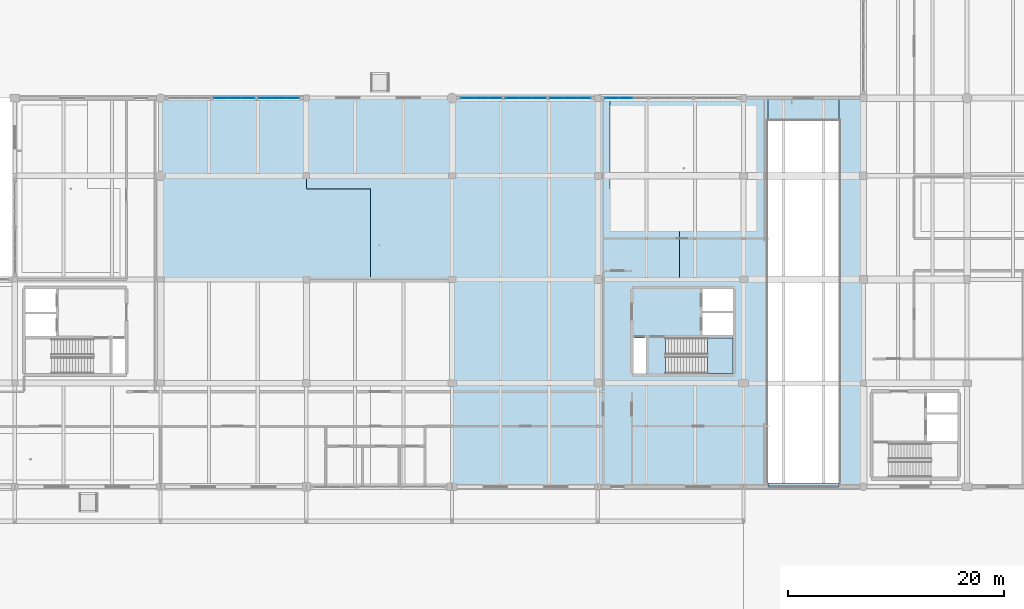
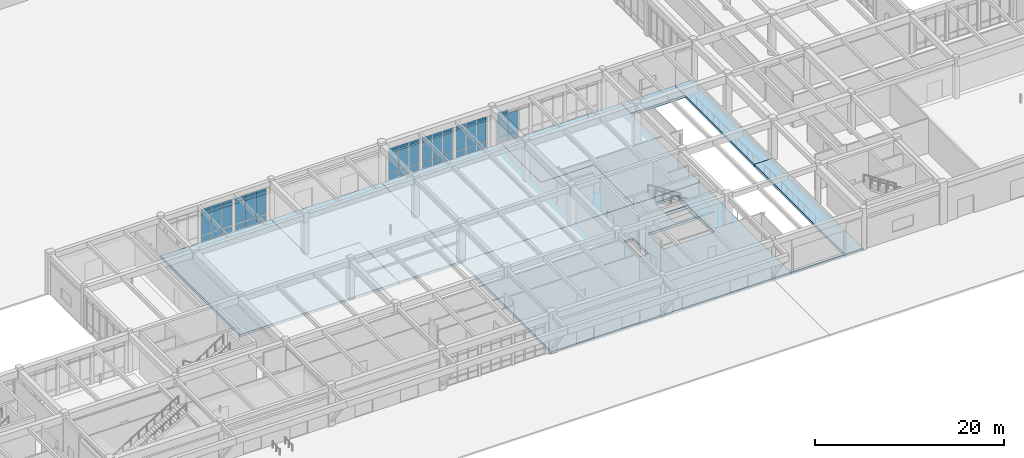
# One storey, part 91 of 138: 50 plates, 10 slabs, 7 elements without a shape of their own.
"""IFC4 building model written with IfcOpenShell, lengths in metres."""

from ifc_helpers import new_model, si_unit, direction, frame, origin, origin_2d, place, context, subcontext, project, spatial, polyline, rectangle, outline, extrude, material, layer, layer_set, type_object, element, aggregate, save


model = new_model("IFC4")

# Units and contexts
model_context = context("Model", 3, precision=1e-05, world=origin(), true_north=direction((0.0, 1.0)))
body_context = subcontext(model_context, "Body", "Model", "MODEL_VIEW")
ifc_project = project(units=[si_unit("LENGTHUNIT", "METRE"), si_unit("AREAUNIT", "SQUARE_METRE"), si_unit("VOLUMEUNIT", "CUBIC_METRE"), si_unit("PLANEANGLEUNIT", "RADIAN"), si_unit("MASSUNIT", "GRAM", prefix="KILO")], contexts=[model_context])

# Site, building, storey
site_placement = place(None, origin())
site = spatial("IfcSite", under=ifc_project, at=site_placement, CompositionType="ELEMENT")
building_placement = place(site_placement, origin())
building = spatial("IfcBuilding", under=site, at=building_placement, Name="Fikremerkos Civic Library", CompositionType="ELEMENT")
storey_placement = place(building_placement, origin())
storey = spatial("IfcBuildingStorey", under=building, at=storey_placement, Name="L00", CompositionType="ELEMENT", Elevation=0.0)

# Curtain wall, plates
ifc_material_1 = material(Name="Anodized aluminium Frame", Category="aluminium")
ifc_layer_1 = layer(ifc_material_1, 0.159912109375, Name="Anodized aluminium Frame")
ifc_layer_set_1 = layer_set([ifc_layer_1], Name="Anodized aluminium Frame")
curtain_wall_type_1 = type_object("IfcCurtainWallType", Name="Unitised curtain wall CW-17 4600x3600", PredefinedType="USERDEFINED", material=ifc_layer_set_1)
curtain_wall_1_placement = place(storey_placement, origin())
curtain_wall_1 = element("IfcCurtainWall", 1, at=curtain_wall_1_placement, inside=storey, type_object=curtain_wall_type_1, Name="Unitised curtain wall CW-17 L00 #17", ObjectType="UNITISED CURTAIN WALL", PredefinedType="USERDEFINED")
ifc_material_2 = material(Name="Solar control double glazing", Category="glass")
ifc_layer_2 = layer(ifc_material_2, 0.028076171875, Name="Solar control double glazing")
ifc_layer_set_2 = layer_set([ifc_layer_2], Name="Solar control double glazing")
plate_type_1 = type_object("IfcPlateType", Name="Curtain glazing panel CWP-01 28", PredefinedType="CURTAIN_PANEL", material=ifc_layer_set_2)
plate_1_placement = place(storey_placement, frame((88.150634765625, 48.0, 0.06982421875), z_axis=(0.0, 0.0, 1.0), x_axis=(1.0, 0.0, 0.0)))
plate_1 = element("IfcPlate", 2, at=plate_1_placement, type_object=plate_type_1, Name="CW-17 panel 1.1", PredefinedType="CURTAIN_PANEL", context=body_context, shape_type="SweptSolid", body=[
    extrude(rectangle(XDim=1.175048828125, YDim=0.028076171875, at=origin_2d()), origin(), (0.0, 0.0, 1.0), 0.7451171875),
])
plate_2_placement = place(storey_placement, frame((88.150634765625, 48.0, 0.88525390625), z_axis=(0.0, 0.0, 1.0), x_axis=(1.0, 0.0, 0.0)))
plate_2 = element("IfcPlate", 3, at=plate_2_placement, type_object=plate_type_1, Name="CW-17 panel 1.2", PredefinedType="CURTAIN_PANEL", context=body_context, shape_type="SweptSolid", body=[
    extrude(rectangle(XDim=1.175048828125, YDim=0.028076171875, at=origin_2d()), origin(), (0.0, 0.0, 1.0), 2.679931640625),
])
plate_3_placement = place(storey_placement, frame((88.150634765625, 48.0, 3.634765625), z_axis=(0.0, 0.0, 1.0), x_axis=(1.0, 0.0, 0.0)))
plate_3 = element("IfcPlate", 4, at=plate_3_placement, type_object=plate_type_1, Name="CW-17 panel 1.3", PredefinedType="CURTAIN_PANEL", context=body_context, shape_type="SweptSolid", body=[
    extrude(rectangle(XDim=1.175048828125, YDim=0.028076171875, at=origin_2d()), origin(), (0.0, 0.0, 1.0), 0.445068359375),
])
plate_4_placement = place(storey_placement, frame((89.406982421875, 48.0, 0.06982421875), z_axis=(0.0, 0.0, 1.0), x_axis=(1.0, 0.0, 0.0)))
plate_4 = element("IfcPlate", 5, at=plate_4_placement, type_object=plate_type_1, Name="CW-17 panel 2.1", PredefinedType="CURTAIN_PANEL", context=body_context, shape_type="SweptSolid", body=[
    extrude(rectangle(XDim=1.207763671875, YDim=0.028076171875, at=origin_2d()), origin(), (0.0, 0.0, 1.0), 0.7451171875),
])
plate_5_placement = place(storey_placement, frame((89.406982421875, 48.0, 0.88525390625), z_axis=(0.0, 0.0, 1.0), x_axis=(1.0, 0.0, 0.0)))
plate_5 = element("IfcPlate", 6, at=plate_5_placement, type_object=plate_type_1, Name="CW-17 panel 2.2", PredefinedType="CURTAIN_PANEL", context=body_context, shape_type="SweptSolid", body=[
    extrude(rectangle(XDim=1.207763671875, YDim=0.028076171875, at=origin_2d()), origin(), (0.0, 0.0, 1.0), 2.679931640625),
])
plate_6_placement = place(storey_placement, frame((89.406982421875, 48.0, 3.634765625), z_axis=(0.0, 0.0, 1.0), x_axis=(1.0, 0.0, 0.0)))
plate_6 = element("IfcPlate", 7, at=plate_6_placement, type_object=plate_type_1, Name="CW-17 panel 2.3", PredefinedType="CURTAIN_PANEL", context=body_context, shape_type="SweptSolid", body=[
    extrude(rectangle(XDim=1.207763671875, YDim=0.028076171875, at=origin_2d()), origin(), (0.0, 0.0, 1.0), 0.445068359375),
])
plate_7_placement = place(storey_placement, frame((90.663330078125, 48.0, 0.06982421875), z_axis=(0.0, 0.0, 1.0), x_axis=(1.0, 0.0, 0.0)))
plate_7 = element("IfcPlate", 8, at=plate_7_placement, type_object=plate_type_1, Name="CW-17 panel 3.1", PredefinedType="CURTAIN_PANEL", context=body_context, shape_type="SweptSolid", body=[
    extrude(rectangle(XDim=1.175048828125, YDim=0.028076171875, at=origin_2d()), origin(), (0.0, 0.0, 1.0), 0.7451171875),
])
plate_8_placement = place(storey_placement, frame((90.663330078125, 48.0, 0.88525390625), z_axis=(0.0, 0.0, 1.0), x_axis=(1.0, 0.0, 0.0)))
plate_8 = element("IfcPlate", 9, at=plate_8_placement, type_object=plate_type_1, Name="CW-17 panel 3.2", PredefinedType="CURTAIN_PANEL", context=body_context, shape_type="SweptSolid", body=[
    extrude(rectangle(XDim=1.175048828125, YDim=0.028076171875, at=origin_2d()), origin(), (0.0, 0.0, 1.0), 2.679931640625),
])
plate_9_placement = place(storey_placement, frame((90.663330078125, 48.0, 3.634765625), z_axis=(0.0, 0.0, 1.0), x_axis=(1.0, 0.0, 0.0)))
plate_9 = element("IfcPlate", 10, at=plate_9_placement, type_object=plate_type_1, Name="CW-17 panel 3.3", PredefinedType="CURTAIN_PANEL", context=body_context, shape_type="SweptSolid", body=[
    extrude(rectangle(XDim=1.175048828125, YDim=0.028076171875, at=origin_2d()), origin(), (0.0, 0.0, 1.0), 0.445068359375),
])
aggregate(curtain_wall_1, [plate_1, plate_2, plate_3, plate_4, plate_5, plate_6, plate_7, plate_8, plate_9])

ifc_layer_3 = layer(ifc_material_1, 0.159912109375, Name="Anodized aluminium Frame")
ifc_layer_set_3 = layer_set([ifc_layer_3], Name="Anodized aluminium Frame")
curtain_wall_type_2 = type_object("IfcCurtainWallType", Name="Unitised curtain wall CW-01 3600x3600", PredefinedType="USERDEFINED", material=ifc_layer_set_3)
curtain_wall_2_placement = place(storey_placement, origin())
curtain_wall_2 = element("IfcCurtainWall", 11, at=curtain_wall_2_placement, inside=storey, type_object=curtain_wall_type_2, Name="Unitised curtain wall CW-01 L00 #19", ObjectType="UNITISED CURTAIN WALL", PredefinedType="USERDEFINED")
plate_10_placement = place(storey_placement, frame((96.386474609375, 48.0, 0.06982421875), z_axis=(0.0, 0.0, 1.0), x_axis=(1.0, 0.0, 0.0)))
plate_10 = element("IfcPlate", 12, at=plate_10_placement, type_object=plate_type_1, Name="CW-01 panel 1.1", PredefinedType="CURTAIN_PANEL", context=body_context, shape_type="SweptSolid", body=[
    extrude(rectangle(XDim=1.175048828125, YDim=0.028076171875, at=origin_2d()), origin(), (0.0, 0.0, 1.0), 0.7451171875),
])
plate_11_placement = place(storey_placement, frame((96.386474609375, 48.0, 0.88525390625), z_axis=(0.0, 0.0, 1.0), x_axis=(1.0, 0.0, 0.0)))
plate_11 = element("IfcPlate", 13, at=plate_11_placement, type_object=plate_type_1, Name="CW-01 panel 1.2", PredefinedType="CURTAIN_PANEL", context=body_context, shape_type="SweptSolid", body=[
    extrude(rectangle(XDim=1.175048828125, YDim=0.028076171875, at=origin_2d()), origin(), (0.0, 0.0, 1.0), 2.679931640625),
])
plate_12_placement = place(storey_placement, frame((96.386474609375, 48.0, 3.634765625), z_axis=(0.0, 0.0, 1.0), x_axis=(1.0, 0.0, 0.0)))
plate_12 = element("IfcPlate", 14, at=plate_12_placement, type_object=plate_type_1, Name="CW-01 panel 1.3", PredefinedType="CURTAIN_PANEL", context=body_context, shape_type="SweptSolid", body=[
    extrude(rectangle(XDim=1.175048828125, YDim=0.028076171875, at=origin_2d()), origin(), (0.0, 0.0, 1.0), 0.445068359375),
])
plate_13_placement = place(storey_placement, frame((97.64306640625, 48.0, 0.06982421875), z_axis=(0.0, 0.0, 1.0), x_axis=(1.0, 0.0, 0.0)))
plate_13 = element("IfcPlate", 15, at=plate_13_placement, type_object=plate_type_1, Name="CW-01 panel 2.1", PredefinedType="CURTAIN_PANEL", context=body_context, shape_type="SweptSolid", body=[
    extrude(rectangle(XDim=1.207763671875, YDim=0.028076171875, at=origin_2d()), origin(), (0.0, 0.0, 1.0), 0.7451171875),
])
plate_14_placement = place(storey_placement, frame((97.64306640625, 48.0, 0.88525390625), z_axis=(0.0, 0.0, 1.0), x_axis=(1.0, 0.0, 0.0)))
plate_14 = element("IfcPlate", 16, at=plate_14_placement, type_object=plate_type_1, Name="CW-01 panel 2.2", PredefinedType="CURTAIN_PANEL", context=body_context, shape_type="SweptSolid", body=[
    extrude(rectangle(XDim=1.207763671875, YDim=0.028076171875, at=origin_2d()), origin(), (0.0, 0.0, 1.0), 2.679931640625),
])
plate_15_placement = place(storey_placement, frame((97.64306640625, 48.0, 3.634765625), z_axis=(0.0, 0.0, 1.0), x_axis=(1.0, 0.0, 0.0)))
plate_15 = element("IfcPlate", 17, at=plate_15_placement, type_object=plate_type_1, Name="CW-01 panel 2.3", PredefinedType="CURTAIN_PANEL", context=body_context, shape_type="SweptSolid", body=[
    extrude(rectangle(XDim=1.207763671875, YDim=0.028076171875, at=origin_2d()), origin(), (0.0, 0.0, 1.0), 0.445068359375),
])
plate_16_placement = place(storey_placement, frame((98.8994140625, 48.0, 0.06982421875), z_axis=(0.0, 0.0, 1.0), x_axis=(1.0, 0.0, 0.0)))
plate_16 = element("IfcPlate", 18, at=plate_16_placement, type_object=plate_type_1, Name="CW-01 panel 3.1", PredefinedType="CURTAIN_PANEL", context=body_context, shape_type="SweptSolid", body=[
    extrude(rectangle(XDim=1.175048828125, YDim=0.028076171875, at=origin_2d()), origin(), (0.0, 0.0, 1.0), 0.7451171875),
])
plate_17_placement = place(storey_placement, frame((98.8994140625, 48.0, 0.88525390625), z_axis=(0.0, 0.0, 1.0), x_axis=(1.0, 0.0, 0.0)))
plate_17 = element("IfcPlate", 19, at=plate_17_placement, type_object=plate_type_1, Name="CW-01 panel 3.2", PredefinedType="CURTAIN_PANEL", context=body_context, shape_type="SweptSolid", body=[
    extrude(rectangle(XDim=1.175048828125, YDim=0.028076171875, at=origin_2d()), origin(), (0.0, 0.0, 1.0), 2.679931640625),
])
plate_18_placement = place(storey_placement, frame((98.8994140625, 48.0, 3.634765625), z_axis=(0.0, 0.0, 1.0), x_axis=(1.0, 0.0, 0.0)))
plate_18 = element("IfcPlate", 20, at=plate_18_placement, type_object=plate_type_1, Name="CW-01 panel 3.3", PredefinedType="CURTAIN_PANEL", context=body_context, shape_type="SweptSolid", body=[
    extrude(rectangle(XDim=1.175048828125, YDim=0.028076171875, at=origin_2d()), origin(), (0.0, 0.0, 1.0), 0.445068359375),
])
aggregate(curtain_wall_2, [plate_10, plate_11, plate_12, plate_13, plate_14, plate_15, plate_16, plate_17, plate_18])

ifc_layer_4 = layer(ifc_material_1, 0.159912109375, Name="Anodized aluminium Frame")
ifc_layer_set_4 = layer_set([ifc_layer_4], Name="Anodized aluminium Frame")
curtain_wall_type_3 = type_object("IfcCurtainWallType", Name="Unitised curtain wall CW-18 2700x3400", PredefinedType="USERDEFINED", material=ifc_layer_set_4)
curtain_wall_3_placement = place(storey_placement, origin())
curtain_wall_3 = element("IfcCurtainWall", 21, at=curtain_wall_3_placement, inside=storey, type_object=curtain_wall_type_3, Name="Unitised curtain wall CW-18 L00 #18", ObjectType="UNITISED CURTAIN WALL", PredefinedType="USERDEFINED")
ifc_layer_5 = layer(ifc_material_2, 0.035888671875, Name="Solar control double glazing")
ifc_layer_set_5 = layer_set([ifc_layer_5], Name="Solar control double glazing")
plate_type_2 = type_object("IfcPlateType", Name="Curtain glazing panel CWP-02 36", PredefinedType="CURTAIN_PANEL", material=ifc_layer_set_5)
plate_19_placement = place(storey_placement, frame((92.267333984375, 48.0, 0.06982421875), z_axis=(0.0, 0.0, 1.0), x_axis=(1.0, 0.0, 0.0)))
plate_19 = element("IfcPlate", 22, at=plate_19_placement, type_object=plate_type_2, Name="CW-18 panel 1.1", PredefinedType="CURTAIN_PANEL", context=body_context, shape_type="SweptSolid", body=[
    extrude(rectangle(XDim=1.1826171875, YDim=0.035888671875, at=origin_2d()), origin(), (0.0, 0.0, 1.0), 0.7451171875),
])
plate_20_placement = place(storey_placement, frame((92.267333984375, 48.0, 0.88525390625), z_axis=(0.0, 0.0, 1.0), x_axis=(1.0, 0.0, 0.0)))
plate_20 = element("IfcPlate", 23, at=plate_20_placement, type_object=plate_type_2, Name="CW-18 panel 1.2", PredefinedType="CURTAIN_PANEL", context=body_context, shape_type="SweptSolid", body=[
    extrude(rectangle(XDim=1.1826171875, YDim=0.035888671875, at=origin_2d()), origin(), (0.0, 0.0, 1.0), 2.679931640625),
])
plate_21_placement = place(storey_placement, frame((92.267333984375, 48.0, 3.634765625), z_axis=(0.0, 0.0, 1.0), x_axis=(1.0, 0.0, 0.0)))
plate_21 = element("IfcPlate", 24, at=plate_21_placement, type_object=plate_type_2, Name="CW-18 panel 1.3", PredefinedType="CURTAIN_PANEL", context=body_context, shape_type="SweptSolid", body=[
    extrude(rectangle(XDim=1.1826171875, YDim=0.035888671875, at=origin_2d()), origin(), (0.0, 0.0, 1.0), 0.445068359375),
])
plate_22_placement = place(storey_placement, frame((93.52490234375, 48.0, 0.06982421875), z_axis=(0.0, 0.0, 1.0), x_axis=(1.0, 0.0, 0.0)))
plate_22 = element("IfcPlate", 25, at=plate_22_placement, type_object=plate_type_2, Name="CW-18 panel 2.1", PredefinedType="CURTAIN_PANEL", context=body_context, shape_type="SweptSolid", body=[
    extrude(rectangle(XDim=1.212646484375, YDim=0.035888671875, at=origin_2d()), origin(), (0.0, 0.0, 1.0), 0.7451171875),
])
plate_23_placement = place(storey_placement, frame((93.52490234375, 48.0, 0.88525390625), z_axis=(0.0, 0.0, 1.0), x_axis=(1.0, 0.0, 0.0)))
plate_23 = element("IfcPlate", 26, at=plate_23_placement, type_object=plate_type_2, Name="CW-18 panel 2.2", PredefinedType="CURTAIN_PANEL", context=body_context, shape_type="SweptSolid", body=[
    extrude(rectangle(XDim=1.212646484375, YDim=0.035888671875, at=origin_2d()), origin(), (0.0, 0.0, 1.0), 2.679931640625),
])
plate_24_placement = place(storey_placement, frame((93.52490234375, 48.0, 3.634765625), z_axis=(0.0, 0.0, 1.0), x_axis=(1.0, 0.0, 0.0)))
plate_24 = element("IfcPlate", 27, at=plate_24_placement, type_object=plate_type_2, Name="CW-18 panel 2.3", PredefinedType="CURTAIN_PANEL", context=body_context, shape_type="SweptSolid", body=[
    extrude(rectangle(XDim=1.212646484375, YDim=0.035888671875, at=origin_2d()), origin(), (0.0, 0.0, 1.0), 0.445068359375),
])
plate_25_placement = place(storey_placement, frame((94.78271484375, 48.0, 0.06982421875), z_axis=(0.0, 0.0, 1.0), x_axis=(1.0, 0.0, 0.0)))
plate_25 = element("IfcPlate", 28, at=plate_25_placement, type_object=plate_type_2, Name="CW-18 panel 3.1", PredefinedType="CURTAIN_PANEL", context=body_context, shape_type="SweptSolid", body=[
    extrude(rectangle(XDim=1.1826171875, YDim=0.035888671875, at=origin_2d()), origin(), (0.0, 0.0, 1.0), 0.7451171875),
])
plate_26_placement = place(storey_placement, frame((94.78271484375, 48.0, 0.88525390625), z_axis=(0.0, 0.0, 1.0), x_axis=(1.0, 0.0, 0.0)))
plate_26 = element("IfcPlate", 29, at=plate_26_placement, type_object=plate_type_2, Name="CW-18 panel 3.2", PredefinedType="CURTAIN_PANEL", context=body_context, shape_type="SweptSolid", body=[
    extrude(rectangle(XDim=1.1826171875, YDim=0.035888671875, at=origin_2d()), origin(), (0.0, 0.0, 1.0), 2.679931640625),
])
plate_27_placement = place(storey_placement, frame((94.78271484375, 48.0, 3.634765625), z_axis=(0.0, 0.0, 1.0), x_axis=(1.0, 0.0, 0.0)))
plate_27 = element("IfcPlate", 30, at=plate_27_placement, type_object=plate_type_2, Name="CW-18 panel 3.3", PredefinedType="CURTAIN_PANEL", context=body_context, shape_type="SweptSolid", body=[
    extrude(rectangle(XDim=1.1826171875, YDim=0.035888671875, at=origin_2d()), origin(), (0.0, 0.0, 1.0), 0.445068359375),
])
aggregate(curtain_wall_3, [plate_19, plate_20, plate_21, plate_22, plate_23, plate_24, plate_25, plate_26, plate_27])

ifc_layer_6 = layer(ifc_material_1, 0.159912109375, Name="Anodized aluminium Frame")
ifc_layer_set_6 = layer_set([ifc_layer_6], Name="Anodized aluminium Frame")
curtain_wall_type_4 = type_object("IfcCurtainWallType", Name="Unitised curtain wall CW-02 3900x3600", PredefinedType="USERDEFINED", material=ifc_layer_set_6)
curtain_wall_4_placement = place(storey_placement, origin())
curtain_wall_4 = element("IfcCurtainWall", 31, at=curtain_wall_4_placement, inside=storey, type_object=curtain_wall_type_4, Name="Unitised curtain wall CW-02 L00 #20", ObjectType="UNITISED CURTAIN WALL", PredefinedType="USERDEFINED")
plate_28_placement = place(storey_placement, frame((101.510498046875, 48.0, 0.06982421875), z_axis=(0.0, 0.0, 1.0), x_axis=(1.0, 0.0, 0.0)))
plate_28 = element("IfcPlate", 32, at=plate_28_placement, type_object=plate_type_2, Name="CW-02 panel 1.1", PredefinedType="CURTAIN_PANEL", context=body_context, shape_type="SweptSolid", body=[
    extrude(rectangle(XDim=1.204833984375, YDim=0.035888671875, at=origin_2d()), origin(), (0.0, 0.0, 1.0), 0.7451171875),
])
plate_29_placement = place(storey_placement, frame((101.510498046875, 48.0, 0.88525390625), z_axis=(0.0, 0.0, 1.0), x_axis=(1.0, 0.0, 0.0)))
plate_29 = element("IfcPlate", 33, at=plate_29_placement, type_object=plate_type_2, Name="CW-02 panel 1.2", PredefinedType="CURTAIN_PANEL", context=body_context, shape_type="SweptSolid", body=[
    extrude(rectangle(XDim=1.204833984375, YDim=0.035888671875, at=origin_2d()), origin(), (0.0, 0.0, 1.0), 2.679931640625),
])
plate_30_placement = place(storey_placement, frame((101.510498046875, 48.0, 3.634765625), z_axis=(0.0, 0.0, 1.0), x_axis=(1.0, 0.0, 0.0)))
plate_30 = element("IfcPlate", 34, at=plate_30_placement, type_object=plate_type_2, Name="CW-02 panel 1.3", PredefinedType="CURTAIN_PANEL", context=body_context, shape_type="SweptSolid", body=[
    extrude(rectangle(XDim=1.204833984375, YDim=0.035888671875, at=origin_2d()), origin(), (0.0, 0.0, 1.0), 0.445068359375),
])
plate_31_placement = place(storey_placement, frame((102.790283203125, 48.0, 0.06982421875), z_axis=(0.0, 0.0, 1.0), x_axis=(1.0, 0.0, 0.0)))
plate_31 = element("IfcPlate", 35, at=plate_31_placement, type_object=plate_type_2, Name="CW-02 panel 2.1", PredefinedType="CURTAIN_PANEL", context=body_context, shape_type="SweptSolid", body=[
    extrude(rectangle(XDim=1.23486328125, YDim=0.035888671875, at=origin_2d()), origin(), (0.0, 0.0, 1.0), 0.7451171875),
])
plate_32_placement = place(storey_placement, frame((102.790283203125, 48.0, 0.88525390625), z_axis=(0.0, 0.0, 1.0), x_axis=(1.0, 0.0, 0.0)))
plate_32 = element("IfcPlate", 36, at=plate_32_placement, type_object=plate_type_2, Name="CW-02 panel 2.2", PredefinedType="CURTAIN_PANEL", context=body_context, shape_type="SweptSolid", body=[
    extrude(rectangle(XDim=1.23486328125, YDim=0.035888671875, at=origin_2d()), origin(), (0.0, 0.0, 1.0), 2.679931640625),
])
aggregate(curtain_wall_4, [plate_28, plate_29, plate_30, plate_31, plate_32])

ifc_layer_7 = layer(ifc_material_1, 0.159912109375, Name="Anodized aluminium Frame")
ifc_layer_set_7 = layer_set([ifc_layer_7], Name="Anodized aluminium Frame")
curtain_wall_type_5 = type_object("IfcCurtainWallType", Name="Unitised curtain wall CW-15 2900x3600", PredefinedType="USERDEFINED", material=ifc_layer_set_7)
curtain_wall_5_placement = place(storey_placement, origin())
curtain_wall_5 = element("IfcCurtainWall", 37, at=curtain_wall_5_placement, inside=storey, type_object=curtain_wall_type_5, Name="Unitised curtain wall CW-15 L00 #15", ObjectType="UNITISED CURTAIN WALL", PredefinedType="USERDEFINED")
ifc_material_3 = material(Name="Insulated aluminium spandrel", Category="aluminium")
ifc_layer_8 = layer(ifc_material_3, 0.044921875, Name="Insulated aluminium spandrel")
ifc_layer_set_8 = layer_set([ifc_layer_8], Name="Insulated aluminium spandrel")
plate_type_3 = type_object("IfcPlateType", Name="Curtain spandrel panel CSP-01 45", PredefinedType="CURTAIN_PANEL", material=ifc_layer_set_8)
plate_33_placement = place(storey_placement, frame((65.24658203125, 48.0, 0.06982421875), z_axis=(0.0, 0.0, 1.0), x_axis=(1.0, 0.0, 0.0)))
plate_33 = element("IfcPlate", 38, at=plate_33_placement, type_object=plate_type_3, Name="CW-15 panel 1.1", PredefinedType="CURTAIN_PANEL", context=body_context, shape_type="SweptSolid", body=[
    extrude(rectangle(XDim=1.19091796875, YDim=0.044921875, at=origin_2d()), origin(), (0.0, 0.0, 1.0), 0.7451171875),
])
plate_34_placement = place(storey_placement, frame((65.24658203125, 48.0, 0.884765625), z_axis=(0.0, 0.0, 1.0), x_axis=(1.0, 0.0, 0.0)))
plate_34 = element("IfcPlate", 39, at=plate_34_placement, type_object=plate_type_3, Name="CW-15 panel 1.2", PredefinedType="CURTAIN_PANEL", context=body_context, shape_type="SweptSolid", body=[
    extrude(rectangle(XDim=1.19091796875, YDim=0.044921875, at=origin_2d()), origin(), (0.0, 0.0, 1.0), 2.820068359375),
])
plate_35_placement = place(storey_placement, frame((65.24658203125, 48.0, 3.77490234375), z_axis=(0.0, 0.0, 1.0), x_axis=(1.0, 0.0, 0.0)))
plate_35 = element("IfcPlate", 40, at=plate_35_placement, type_object=plate_type_3, Name="CW-15 panel 1.3", PredefinedType="CURTAIN_PANEL", context=body_context, shape_type="SweptSolid", body=[
    extrude(rectangle(XDim=1.19091796875, YDim=0.044921875, at=origin_2d()), origin(), (0.0, 0.0, 1.0), 0.445068359375),
])
plate_36_placement = place(storey_placement, frame((66.512451171875, 48.0, 0.06982421875), z_axis=(0.0, 0.0, 1.0), x_axis=(1.0, 0.0, 0.0)))
plate_36 = element("IfcPlate", 41, at=plate_36_placement, type_object=plate_type_3, Name="CW-15 panel 2.1", PredefinedType="CURTAIN_PANEL", context=body_context, shape_type="SweptSolid", body=[
    extrude(rectangle(XDim=1.220947265625, YDim=0.044921875, at=origin_2d()), origin(), (0.0, 0.0, 1.0), 0.7451171875),
])
plate_37_placement = place(storey_placement, frame((66.512451171875, 48.0, 0.884765625), z_axis=(0.0, 0.0, 1.0), x_axis=(1.0, 0.0, 0.0)))
plate_37 = element("IfcPlate", 42, at=plate_37_placement, type_object=plate_type_3, Name="CW-15 panel 2.2", PredefinedType="CURTAIN_PANEL", context=body_context, shape_type="SweptSolid", body=[
    extrude(rectangle(XDim=1.220947265625, YDim=0.044921875, at=origin_2d()), origin(), (0.0, 0.0, 1.0), 2.820068359375),
])
plate_38_placement = place(storey_placement, frame((66.512451171875, 48.0, 3.77490234375), z_axis=(0.0, 0.0, 1.0), x_axis=(1.0, 0.0, 0.0)))
plate_38 = element("IfcPlate", 43, at=plate_38_placement, type_object=plate_type_3, Name="CW-15 panel 2.3", PredefinedType="CURTAIN_PANEL", context=body_context, shape_type="SweptSolid", body=[
    extrude(rectangle(XDim=1.220947265625, YDim=0.044921875, at=origin_2d()), origin(), (0.0, 0.0, 1.0), 0.445068359375),
])
plate_39_placement = place(storey_placement, frame((67.778564453125, 48.0, 0.06982421875), z_axis=(0.0, 0.0, 1.0), x_axis=(1.0, 0.0, 0.0)))
plate_39 = element("IfcPlate", 44, at=plate_39_placement, type_object=plate_type_3, Name="CW-15 panel 3.1", PredefinedType="CURTAIN_PANEL", context=body_context, shape_type="SweptSolid", body=[
    extrude(rectangle(XDim=1.19091796875, YDim=0.044921875, at=origin_2d()), origin(), (0.0, 0.0, 1.0), 0.7451171875),
])
plate_40_placement = place(storey_placement, frame((67.778564453125, 48.0, 0.884765625), z_axis=(0.0, 0.0, 1.0), x_axis=(1.0, 0.0, 0.0)))
plate_40 = element("IfcPlate", 45, at=plate_40_placement, type_object=plate_type_3, Name="CW-15 panel 3.2", PredefinedType="CURTAIN_PANEL", context=body_context, shape_type="SweptSolid", body=[
    extrude(rectangle(XDim=1.19091796875, YDim=0.044921875, at=origin_2d()), origin(), (0.0, 0.0, 1.0), 2.820068359375),
])
plate_41_placement = place(storey_placement, frame((67.778564453125, 48.0, 3.77490234375), z_axis=(0.0, 0.0, 1.0), x_axis=(1.0, 0.0, 0.0)))
plate_41 = element("IfcPlate", 46, at=plate_41_placement, type_object=plate_type_3, Name="CW-15 panel 3.3", PredefinedType="CURTAIN_PANEL", context=body_context, shape_type="SweptSolid", body=[
    extrude(rectangle(XDim=1.19091796875, YDim=0.044921875, at=origin_2d()), origin(), (0.0, 0.0, 1.0), 0.445068359375),
])
aggregate(curtain_wall_5, [plate_33, plate_34, plate_35, plate_36, plate_37, plate_38, plate_39, plate_40, plate_41])

ifc_layer_9 = layer(ifc_material_1, 0.159912109375, Name="Anodized aluminium Frame")
ifc_layer_set_9 = layer_set([ifc_layer_9], Name="Anodized aluminium Frame")
curtain_wall_type_6 = type_object("IfcCurtainWallType", Name="Unitised curtain wall CW-16 3100x4100", PredefinedType="USERDEFINED", material=ifc_layer_set_9)
curtain_wall_6_placement = place(storey_placement, origin())
curtain_wall_6 = element("IfcCurtainWall", 47, at=curtain_wall_6_placement, inside=storey, type_object=curtain_wall_type_6, Name="Unitised curtain wall CW-16 L00 #16", ObjectType="UNITISED CURTAIN WALL", PredefinedType="USERDEFINED")
ifc_layer_10 = layer(ifc_material_3, 0.054931640625, Name="Insulated aluminium spandrel")
ifc_layer_set_10 = layer_set([ifc_layer_10], Name="Insulated aluminium spandrel")
plate_type_4 = type_object("IfcPlateType", Name="Curtain spandrel panel CSP-02 55", PredefinedType="CURTAIN_PANEL", material=ifc_layer_set_10)
plate_42_placement = place(storey_placement, frame((69.389404296875, 48.0, 0.06982421875), z_axis=(0.0, 0.0, 1.0), x_axis=(1.0, 0.0, 0.0)))
plate_42 = element("IfcPlate", 48, at=plate_42_placement, type_object=plate_type_4, Name="CW-16 panel 1.1", PredefinedType="CURTAIN_PANEL", context=body_context, shape_type="SweptSolid", body=[
    extrude(rectangle(XDim=1.19091796875, YDim=0.054931640625, at=origin_2d()), origin(), (0.0, 0.0, 1.0), 0.7451171875),
])
plate_43_placement = place(storey_placement, frame((69.389404296875, 48.0, 0.884765625), z_axis=(0.0, 0.0, 1.0), x_axis=(1.0, 0.0, 0.0)))
plate_43 = element("IfcPlate", 49, at=plate_43_placement, type_object=plate_type_4, Name="CW-16 panel 1.2", PredefinedType="CURTAIN_PANEL", context=body_context, shape_type="SweptSolid", body=[
    extrude(rectangle(XDim=1.19091796875, YDim=0.054931640625, at=origin_2d()), origin(), (0.0, 0.0, 1.0), 2.820068359375),
])
plate_44_placement = place(storey_placement, frame((69.389404296875, 48.0, 3.77490234375), z_axis=(0.0, 0.0, 1.0), x_axis=(1.0, 0.0, 0.0)))
plate_44 = element("IfcPlate", 50, at=plate_44_placement, type_object=plate_type_4, Name="CW-16 panel 1.3", PredefinedType="CURTAIN_PANEL", context=body_context, shape_type="SweptSolid", body=[
    extrude(rectangle(XDim=1.19091796875, YDim=0.054931640625, at=origin_2d()), origin(), (0.0, 0.0, 1.0), 0.445068359375),
])
plate_45_placement = place(storey_placement, frame((70.655517578125, 48.0, 0.06982421875), z_axis=(0.0, 0.0, 1.0), x_axis=(1.0, 0.0, 0.0)))
plate_45 = element("IfcPlate", 51, at=plate_45_placement, type_object=plate_type_4, Name="CW-16 panel 2.1", PredefinedType="CURTAIN_PANEL", context=body_context, shape_type="SweptSolid", body=[
    extrude(rectangle(XDim=1.220947265625, YDim=0.054931640625, at=origin_2d()), origin(), (0.0, 0.0, 1.0), 0.7451171875),
])
plate_46_placement = place(storey_placement, frame((70.655517578125, 48.0, 0.884765625), z_axis=(0.0, 0.0, 1.0), x_axis=(1.0, 0.0, 0.0)))
plate_46 = element("IfcPlate", 52, at=plate_46_placement, type_object=plate_type_4, Name="CW-16 panel 2.2", PredefinedType="CURTAIN_PANEL", context=body_context, shape_type="SweptSolid", body=[
    extrude(rectangle(XDim=1.220947265625, YDim=0.054931640625, at=origin_2d()), origin(), (0.0, 0.0, 1.0), 2.820068359375),
])
plate_47_placement = place(storey_placement, frame((70.655517578125, 48.0, 3.77490234375), z_axis=(0.0, 0.0, 1.0), x_axis=(1.0, 0.0, 0.0)))
plate_47 = element("IfcPlate", 53, at=plate_47_placement, type_object=plate_type_4, Name="CW-16 panel 2.3", PredefinedType="CURTAIN_PANEL", context=body_context, shape_type="SweptSolid", body=[
    extrude(rectangle(XDim=1.220947265625, YDim=0.054931640625, at=origin_2d()), origin(), (0.0, 0.0, 1.0), 0.445068359375),
])
plate_48_placement = place(storey_placement, frame((71.92138671875, 48.0, 0.06982421875), z_axis=(0.0, 0.0, 1.0), x_axis=(1.0, 0.0, 0.0)))
plate_48 = element("IfcPlate", 54, at=plate_48_placement, type_object=plate_type_4, Name="CW-16 panel 3.1", PredefinedType="CURTAIN_PANEL", context=body_context, shape_type="SweptSolid", body=[
    extrude(rectangle(XDim=1.19091796875, YDim=0.054931640625, at=origin_2d()), origin(), (0.0, 0.0, 1.0), 0.7451171875),
])
plate_49_placement = place(storey_placement, frame((71.92138671875, 48.0, 0.884765625), z_axis=(0.0, 0.0, 1.0), x_axis=(1.0, 0.0, 0.0)))
plate_49 = element("IfcPlate", 55, at=plate_49_placement, type_object=plate_type_4, Name="CW-16 panel 3.2", PredefinedType="CURTAIN_PANEL", context=body_context, shape_type="SweptSolid", body=[
    extrude(rectangle(XDim=1.19091796875, YDim=0.054931640625, at=origin_2d()), origin(), (0.0, 0.0, 1.0), 2.820068359375),
])
plate_50_placement = place(storey_placement, frame((71.92138671875, 48.0, 3.77490234375), z_axis=(0.0, 0.0, 1.0), x_axis=(1.0, 0.0, 0.0)))
plate_50 = element("IfcPlate", 56, at=plate_50_placement, type_object=plate_type_4, Name="CW-16 panel 3.3", PredefinedType="CURTAIN_PANEL", context=body_context, shape_type="SweptSolid", body=[
    extrude(rectangle(XDim=1.19091796875, YDim=0.054931640625, at=origin_2d()), origin(), (0.0, 0.0, 1.0), 0.445068359375),
])
aggregate(curtain_wall_6, [plate_42, plate_43, plate_44, plate_45, plate_46, plate_47, plate_48, plate_49, plate_50])

# Stair, slab
ifc_material_4 = material(Name="Concrete C40/50", Category="concrete")
stair_type = type_object("IfcStairType", Name="Half turn stair ST-HT-02 W1550 H5400", PredefinedType="HALF_TURN_STAIR", material=ifc_material_4)
stair_placement = place(storey_placement, origin())
stair = element("IfcStair", 57, at=stair_placement, inside=storey, type_object=stair_type, Name="L00 ST-K2", PredefinedType="HALF_TURN_STAIR")
ifc_layer_11 = layer(ifc_material_4, 0.199951171875, Name="Concrete C40/50")
ifc_layer_set_11 = layer_set([ifc_layer_11], Name="Concrete C40/50")
slab_type_1 = type_object("IfcSlabType", Name="Stair landing slab SLS-01 200", PredefinedType="LANDING", material=ifc_layer_set_11)
slab_1_placement = place(storey_placement, frame((0.0, 0.0, 2.5)))
slab_1 = element("IfcSlab", 58, at=slab_1_placement, type_object=slab_type_1, Name="ST-K2 landing 1", PredefinedType="LANDING", context=body_context, shape_type="SweptSolid", body=[
    extrude(outline(polyline([(110.3701171875, 22.5), (112.699951171875, 22.5), (112.699951171875, 25.800048828125), (110.3701171875, 25.800048828125), (110.3701171875, 22.5)])), origin(), (0.0, 0.0, 1.0), 0.199951171875),
])
aggregate(stair, [slab_1])

# Slabs
ifc_layer_12 = layer(ifc_material_4, 0.340087890625, Name="Concrete C40/50")
ifc_layer_set_12 = layer_set([ifc_layer_12], Name="Concrete C40/50")
slab_type_2 = type_object("IfcSlabType", Name="Suspended floor slab SFS-01 340", PredefinedType="FLOOR", material=ifc_layer_set_12)
slab_2_placement = place(storey_placement, frame((0.0, 0.0, -0.340087890625)))
element("IfcSlab", 59, at=slab_2_placement, inside=storey, type_object=slab_type_2, Name="Floor slab SFS-01 SLB-L00-V4-M-3", PredefinedType="FLOOR", context=body_context, shape_type="SweptSolid", body=[
    extrude(outline(polyline([(86.699951171875, 12.0), (115.949951171875, 12.0), (115.949951171875, 31.199951171875), (86.699951171875, 31.199951171875), (86.699951171875, 12.0)]), holes=[polyline([(106.449951171875, 22.5), (112.699951171875, 22.5), (112.699951171875, 25.800048828125), (106.449951171875, 25.800048828125), (106.449951171875, 22.5)]), polyline([(109.89990234375, 26.06005859375), (112.699951171875, 26.06005859375), (112.699951171875, 28.10009765625), (109.89990234375, 28.10009765625), (109.89990234375, 26.06005859375)]), polyline([(109.89990234375, 28.260009765625), (112.699951171875, 28.260009765625), (112.699951171875, 30.300048828125), (109.89990234375, 30.300048828125), (109.89990234375, 28.260009765625)]), polyline([(103.5, 22.5), (104.639892578125, 22.5), (104.639892578125, 25.800048828125), (103.5, 25.800048828125), (103.5, 22.5)])]), origin(), (0.0, 0.0, 1.0), 0.340087890625),
])
slab_3_placement = place(storey_placement, frame((0.0, 0.0, -0.340087890625)))
element("IfcSlab", 60, at=slab_3_placement, inside=storey, type_object=slab_type_2, Name="Floor slab SFS-01 SLB-L00-V4-ME-1", PredefinedType="FLOOR", context=body_context, shape_type="SweptSolid", body=[
    extrude(outline(polyline([(122.550048828125, 12.0), (124.800048828125, 12.0), (124.800048828125, 31.199951171875), (122.550048828125, 31.199951171875), (122.550048828125, 12.0)])), origin(), (0.0, 0.0, 1.0), 0.340087890625),
])
slab_4_placement = place(storey_placement, frame((0.0, 0.0, -0.340087890625)))
element("IfcSlab", 61, at=slab_4_placement, inside=storey, type_object=slab_type_2, Name="Floor slab SFS-01 SLB-L00-V4-MS-1", PredefinedType="FLOOR", context=body_context, shape_type="SweptSolid", body=[
    extrude(outline(polyline([(115.949951171875, 12.0), (122.550048828125, 12.0), (122.550048828125, 12.3701171875), (115.949951171875, 12.3701171875), (115.949951171875, 12.0)])), origin(), (0.0, 0.0, 1.0), 0.340087890625),
])
ifc_layer_13 = layer(ifc_material_4, 0.320068359375, Name="Concrete C40/50")
ifc_layer_set_13 = layer_set([ifc_layer_13], Name="Concrete C40/50")
slab_type_3 = type_object("IfcSlabType", Name="Suspended floor slab SFS-02 320", PredefinedType="FLOOR", material=ifc_layer_set_13)
slab_5_placement = place(storey_placement, frame((0.0, 0.0, -0.320068359375)))
element("IfcSlab", 62, at=slab_5_placement, inside=storey, type_object=slab_type_3, Name="Floor slab SFS-02 SLB-L00-V4-A-2L1", PredefinedType="FLOOR", context=body_context, shape_type="SweptSolid", body=[
    extrude(outline(polyline([(59.699951171875, 31.199951171875), (79.135986328125, 31.199951171875), (79.135986328125, 39.595947265625), (73.196044921875, 39.595947265625), (73.196044921875, 48.0), (59.699951171875, 48.0), (59.699951171875, 31.199951171875)])), origin(), (0.0, 0.0, 1.0), 0.320068359375),
])
slab_6_placement = place(storey_placement, frame((0.0, 0.0, -0.320068359375)))
element("IfcSlab", 63, at=slab_6_placement, inside=storey, type_object=slab_type_3, Name="Floor slab SFS-02 SLB-L00-V4-A-2L2", PredefinedType="FLOOR", context=body_context, shape_type="SweptSolid", body=[
    extrude(outline(polyline([(79.14404296875, 31.199951171875), (86.699951171875, 31.199951171875), (86.699951171875, 48.0), (73.2041015625, 48.0), (73.2041015625, 39.60400390625), (79.14404296875, 39.60400390625), (79.14404296875, 31.199951171875)])), origin(), (0.0, 0.0, 1.0), 0.320068359375),
])
slab_7_placement = place(storey_placement, frame((0.0, 0.0, -0.320068359375)))
element("IfcSlab", 64, at=slab_7_placement, inside=storey, type_object=slab_type_3, Name="Floor slab SFS-02 SLB-L00-V4-A-3L1", PredefinedType="FLOOR", context=body_context, shape_type="SweptSolid", body=[
    extrude(outline(polyline([(86.699951171875, 31.199951171875), (107.756103515625, 31.199951171875), (107.756103515625, 39.595947265625), (101.321044921875, 39.595947265625), (101.321044921875, 48.0), (86.699951171875, 48.0), (86.699951171875, 31.199951171875)])), origin(), (0.0, 0.0, 1.0), 0.320068359375),
])
slab_8_placement = place(storey_placement, frame((0.0, 0.0, -0.320068359375)))
element("IfcSlab", 65, at=slab_8_placement, inside=storey, type_object=slab_type_3, Name="Floor slab SFS-02 SLB-L00-V4-A-3L2", PredefinedType="FLOOR", context=body_context, shape_type="SweptSolid", body=[
    extrude(outline(polyline([(107.763916015625, 31.199951171875), (115.949951171875, 31.199951171875), (115.949951171875, 48.0), (101.3291015625, 48.0), (101.3291015625, 39.60400390625), (107.763916015625, 39.60400390625), (107.763916015625, 31.199951171875)])), origin(), (0.0, 0.0, 1.0), 0.320068359375),
])
slab_9_placement = place(storey_placement, frame((0.0, 0.0, -0.320068359375)))
element("IfcSlab", 66, at=slab_9_placement, inside=storey, type_object=slab_type_3, Name="Floor slab SFS-02 SLB-L00-V4-AE-1", PredefinedType="FLOOR", context=body_context, shape_type="SweptSolid", body=[
    extrude(outline(polyline([(122.550048828125, 31.199951171875), (124.800048828125, 31.199951171875), (124.800048828125, 48.0), (122.550048828125, 48.0), (122.550048828125, 31.199951171875)])), origin(), (0.0, 0.0, 1.0), 0.320068359375),
])
slab_10_placement = place(storey_placement, frame((0.0, 0.0, -0.320068359375)))
element("IfcSlab", 67, at=slab_10_placement, inside=storey, type_object=slab_type_3, Name="Floor slab SFS-02 SLB-L00-V4-AN-1", PredefinedType="FLOOR", context=body_context, shape_type="SweptSolid", body=[
    extrude(outline(polyline([(115.949951171875, 45.89990234375), (122.550048828125, 45.89990234375), (122.550048828125, 48.0), (115.949951171875, 48.0), (115.949951171875, 45.89990234375)])), origin(), (0.0, 0.0, 1.0), 0.320068359375),
])

save(model, "model.ifc")
